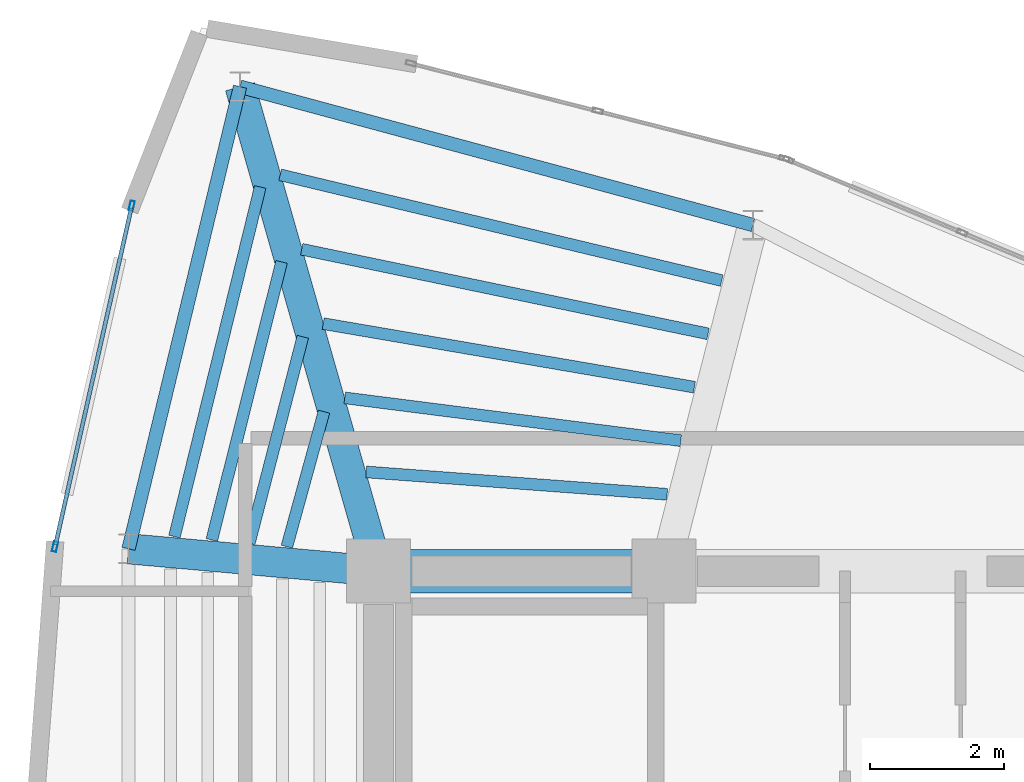
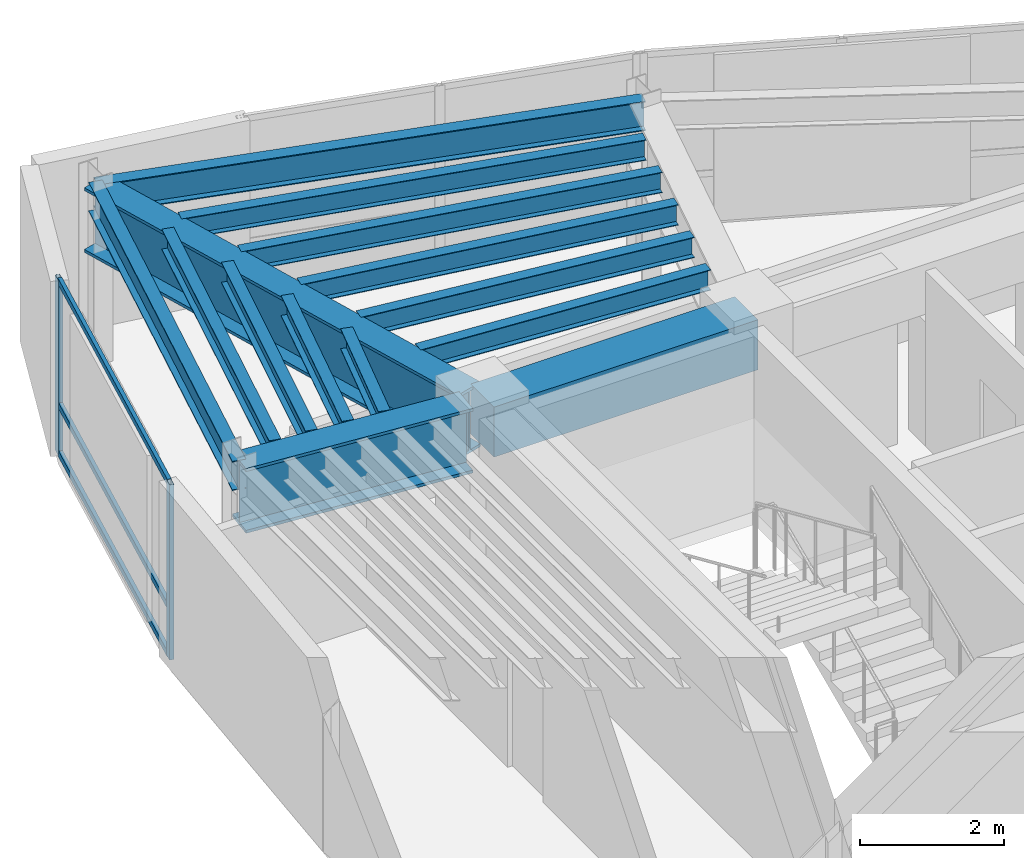
# One storey, part 7 of 14: 14 beams, 5 members, 1 element without a shape of its own.
"""IFC4 building model written with IfcOpenShell, lengths in metres."""

from ifc_helpers import new_model, si_unit, direction, frame, origin, origin_2d, place, context, subcontext, project, spatial, rectangle, hollow_rectangle, i_section, extrude, material, layer, layer_set, material_profile, profile_set, type_object, element, aggregate, save


model = new_model("IFC4")

# Units and contexts
model_context = context("Model", 3, precision=1e-05, world=origin(), true_north=direction((0.0, 1.0)))
body_context = subcontext(model_context, "Body", "Model", "MODEL_VIEW")
ifc_project = project(units=[si_unit("LENGTHUNIT", "METRE"), si_unit("AREAUNIT", "SQUARE_METRE"), si_unit("VOLUMEUNIT", "CUBIC_METRE"), si_unit("PLANEANGLEUNIT", "RADIAN"), si_unit("MASSUNIT", "GRAM", prefix="KILO")], contexts=[model_context])

# Site, building, storey
site_placement = place(None, origin())
site = spatial("IfcSite", under=ifc_project, at=site_placement, CompositionType="ELEMENT")
building_placement = place(site_placement, origin())
building = spatial("IfcBuilding", under=site, at=building_placement, Name="Menara Vayukalpa", CompositionType="ELEMENT")
storey_placement = place(building_placement, frame((0.0, 0.0, 308.820068359375)))
storey = spatial("IfcBuildingStorey", under=building, at=storey_placement, Name="L79", CompositionType="ELEMENT", Elevation=308.820068359375)

# Beams
ifc_material_1 = material(Name="Concrete C60/75", Category="concrete")
ifc_material_profile_1 = material_profile(ifc_material_1, rectangle(XDim=0.64990234375, YDim=0.85009765625, at=origin_2d()), Name="RC 650x850")
ifc_profile_set_1 = profile_set([ifc_material_profile_1], Name="Concrete C60/75")
beam_type_1 = type_object("IfcBeamType", Name="BM-CB1", PredefinedType="BEAM", material=ifc_profile_set_1)
beam_1_placement = place(storey_placement, frame((17.800048828125, 26.800048828125, 2.554931640625), z_axis=(1.0, 0.0, 0.0), x_axis=(0.0, 1.0, 0.0)))
element("IfcBeam", 1, at=beam_1_placement, inside=storey, type_object=beam_type_1, Name="L79 Core Tie Beam CBR4", PredefinedType="BEAM", context=body_context, shape_type="SweptSolid", body=[
    extrude(rectangle(XDim=0.64990234375, YDim=0.85009765625, at=origin_2d()), origin(), (0.0, 0.0, 1.0), 4.25),
])
ifc_material_2 = material(Name="Steel S460", Category="steel")
ifc_material_profile_2 = material_profile(ifc_material_2, i_section(OverallWidth=0.449951171875, OverallDepth=1.10009765625, WebThickness=0.02490234375, FlangeThickness=0.050048828125, at=origin_2d()), Name="WG 1100x450x25x50")
ifc_profile_set_2 = profile_set([ifc_material_profile_2], Name="Steel S460")
beam_type_2 = type_object("IfcBeamType", Name="BM-MTG1", PredefinedType="BEAM", material=ifc_profile_set_2)
beam_2_placement = place(storey_placement, frame((17.731201171875, 27.040283203125, 2.429931640625), z_axis=(-0.274721127897, 0.961523947641, 0.0), x_axis=(-0.961523947641, -0.274721127897, 0.0)))
element("IfcBeam", 2, at=beam_2_placement, inside=storey, type_object=beam_type_2, Name="L79 Primary Radial Girder RG04", PredefinedType="BEAM", context=body_context, shape_type="SweptSolid", body=[
    extrude(i_section(OverallWidth=0.449951171875, OverallDepth=1.10009765625, WebThickness=0.02490234375, FlangeThickness=0.050048828125, at=origin_2d()), origin(), (0.0, 0.0, 1.0), 7.246337890625),
])
beam_3_placement = place(storey_placement, frame((17.551025390625, 26.822265625, 2.429931640625), z_axis=(-0.996018615253, 0.089145488221, 0.0), x_axis=(-0.089145488221, -0.996018615253, 0.0)))
element("IfcBeam", 3, at=beam_3_placement, inside=storey, type_object=beam_type_2, Name="L79 Primary Radial Girder RG05", PredefinedType="BEAM", context=body_context, shape_type="SweptSolid", body=[
    extrude(i_section(OverallWidth=0.449951171875, OverallDepth=1.10009765625, WebThickness=0.02490234375, FlangeThickness=0.050048828125, at=origin_2d()), origin(), (0.0, 0.0, 1.0), 3.483642578125),
])
ifc_material_3 = material(Name="Steel S355", Category="steel")
ifc_material_profile_3 = material_profile(ifc_material_3, i_section(OverallWidth=0.175048828125, OverallDepth=0.35009765625, WebThickness=0.007080078125, FlangeThickness=0.010986328125, at=origin_2d()), Name="WF 350x175x7x11")
ifc_profile_set_3 = profile_set([ifc_material_profile_3], Name="Steel S355")
beam_type_3 = type_object("IfcBeamType", Name="BM-SJ3", PredefinedType="JOIST", material=ifc_profile_set_3)
beam_4_placement = place(storey_placement, frame((22.09423828125, 27.943603515625, 2.804931640625), z_axis=(-0.997249175421, 0.074122075804, 0.0), x_axis=(-0.074122075804, -0.997249175421, 0.0)))
element("IfcBeam", 4, at=beam_4_placement, inside=storey, type_object=beam_type_3, Name="L79 Secondary Floor Joist SJ03-1", PredefinedType="JOIST", context=body_context, shape_type="SweptSolid", body=[
    extrude(i_section(OverallWidth=0.175048828125, OverallDepth=0.35009765625, WebThickness=0.007080078125, FlangeThickness=0.010986328125, at=origin_2d()), origin(), (0.0, 0.0, 1.0), 4.489501953125),
])
beam_5_placement = place(storey_placement, frame((22.297119140625, 28.74169921875, 2.804931640625), z_axis=(-0.991987539287, 0.126335750682, 0.0), x_axis=(-0.126335750682, -0.991987539287, 0.0)))
element("IfcBeam", 5, at=beam_5_placement, inside=storey, type_object=beam_type_3, Name="L79 Secondary Floor Joist SJ03-2", PredefinedType="JOIST", context=body_context, shape_type="SweptSolid", body=[
    extrude(i_section(OverallWidth=0.175048828125, OverallDepth=0.35009765625, WebThickness=0.007080078125, FlangeThickness=0.010986328125, at=origin_2d()), origin(), (0.0, 0.0, 1.0), 5.039794921875),
])
beam_6_placement = place(storey_placement, frame((22.5, 29.537109375, 2.804931640625), z_axis=(-0.985657685594, 0.168757005274, 0.0), x_axis=(-0.168757005274, -0.985657685594, 0.0)))
element("IfcBeam", 6, at=beam_6_placement, inside=storey, type_object=beam_type_3, Name="L79 Secondary Floor Joist SJ03-3", PredefinedType="JOIST", context=body_context, shape_type="SweptSolid", body=[
    extrude(i_section(OverallWidth=0.175048828125, OverallDepth=0.35009765625, WebThickness=0.007080078125, FlangeThickness=0.010986328125, at=origin_2d()), origin(), (0.0, 0.0, 1.0), 5.60302734375),
])
beam_7_placement = place(storey_placement, frame((22.702880859375, 30.330810546875, 2.804931640625), z_axis=(-0.979027428924, 0.203728479637, 0.0), x_axis=(-0.203728479637, -0.979027428924, 0.0)))
element("IfcBeam", 7, at=beam_7_placement, inside=storey, type_object=beam_type_3, Name="L79 Secondary Floor Joist SJ03-4", PredefinedType="JOIST", context=body_context, shape_type="SweptSolid", body=[
    extrude(i_section(OverallWidth=0.175048828125, OverallDepth=0.35009765625, WebThickness=0.007080078125, FlangeThickness=0.010986328125, at=origin_2d()), origin(), (0.0, 0.0, 1.0), 6.175048828125),
])
beam_8_placement = place(storey_placement, frame((22.906005859375, 31.123291015625, 2.804931640625), z_axis=(-0.972497430752, 0.232913604541, 0.0), x_axis=(-0.232913604541, -0.972497430752, 0.0)))
element("IfcBeam", 8, at=beam_8_placement, inside=storey, type_object=beam_type_3, Name="L79 Secondary Floor Joist SJ03-5", PredefinedType="JOIST", context=body_context, shape_type="SweptSolid", body=[
    extrude(i_section(OverallWidth=0.175048828125, OverallDepth=0.35009765625, WebThickness=0.007080078125, FlangeThickness=0.010986328125, at=origin_2d()), origin(), (0.0, 0.0, 1.0), 6.754638671875),
])
beam_9_placement = place(storey_placement, frame((16.989501953125, 29.173095703125, 2.804931640625), z_axis=(-0.265485960503, -0.964114725941, 0.0), x_axis=(0.964114725941, -0.265485960503, 0.0)))
element("IfcBeam", 9, at=beam_9_placement, inside=storey, type_object=beam_type_3, Name="L79 Secondary Floor Joist SJ04-2", PredefinedType="JOIST", context=body_context, shape_type="SweptSolid", body=[
    extrude(i_section(OverallWidth=0.175048828125, OverallDepth=0.35009765625, WebThickness=0.007080078125, FlangeThickness=0.010986328125, at=origin_2d()), origin(), (0.0, 0.0, 1.0), 2.083740234375),
])
beam_10_placement = place(storey_placement, frame((16.67431640625, 30.286865234375, 2.804931640625), z_axis=(-0.250996862559, -0.967987900227, 0.0), x_axis=(0.967987900227, -0.250996862559, 0.0)))
element("IfcBeam", 10, at=beam_10_placement, inside=storey, type_object=beam_type_3, Name="L79 Secondary Floor Joist SJ04-3", PredefinedType="JOIST", context=body_context, shape_type="SweptSolid", body=[
    extrude(i_section(OverallWidth=0.175048828125, OverallDepth=0.35009765625, WebThickness=0.007080078125, FlangeThickness=0.010986328125, at=origin_2d()), origin(), (0.0, 0.0, 1.0), 3.173828125),
])
beam_11_placement = place(storey_placement, frame((16.35791015625, 31.401123046875, 2.804931640625), z_axis=(-0.243209126808, -0.969973876265, 0.0), x_axis=(0.969973876265, -0.243209126808, 0.0)))
element("IfcBeam", 11, at=beam_11_placement, inside=storey, type_object=beam_type_3, Name="L79 Secondary Floor Joist SJ04-4", PredefinedType="JOIST", context=body_context, shape_type="SweptSolid", body=[
    extrude(i_section(OverallWidth=0.175048828125, OverallDepth=0.35009765625, WebThickness=0.007080078125, FlangeThickness=0.010986328125, at=origin_2d()), origin(), (0.0, 0.0, 1.0), 4.26416015625),
])
beam_12_placement = place(storey_placement, frame((16.04052734375, 32.515625, 2.804931640625), z_axis=(-0.238306723875, -0.971189942985, 0.0), x_axis=(0.971189942985, -0.238306723875, 0.0)))
element("IfcBeam", 12, at=beam_12_placement, inside=storey, type_object=beam_type_3, Name="L79 Secondary Floor Joist SJ04-5", PredefinedType="JOIST", context=body_context, shape_type="SweptSolid", body=[
    extrude(i_section(OverallWidth=0.175048828125, OverallDepth=0.35009765625, WebThickness=0.007080078125, FlangeThickness=0.010986328125, at=origin_2d()), origin(), (0.0, 0.0, 1.0), 5.35498046875),
])
ifc_material_4 = material(Name="Steel S355", Category="steel")
ifc_material_profile_4 = material_profile(ifc_material_4, i_section(OverallWidth=0.199951171875, OverallDepth=0.5, WebThickness=0.010009765625, FlangeThickness=0.01611328125, at=origin_2d()), Name="WF 500x200x10x16")
ifc_profile_set_4 = profile_set([ifc_material_profile_4], Name="Steel S355")
beam_type_4 = type_object("IfcBeamType", Name="BM-SP3", PredefinedType="SPANDREL", material=ifc_profile_set_4)
beam_13_placement = place(storey_placement, frame((23.37060546875, 31.949462890625, 2.72998046875), z_axis=(-0.965485889412, 0.260455365361, 0.0), x_axis=(-0.260455365361, -0.965485889412, 0.0)))
element("IfcBeam", 13, at=beam_13_placement, inside=storey, type_object=beam_type_4, Name="L79 Perimeter Spandrel Beam SP03", PredefinedType="SPANDREL", context=body_context, shape_type="SweptSolid", body=[
    extrude(i_section(OverallWidth=0.199951171875, OverallDepth=0.5, WebThickness=0.010009765625, FlangeThickness=0.01611328125, at=origin_2d()), origin(), (0.0, 0.0, 1.0), 7.90283203125),
])
beam_14_placement = place(storey_placement, frame((15.740478515625, 34.0078125, 2.72998046875), z_axis=(-0.234600039411, -0.97209198202, 0.0), x_axis=(0.97209198202, -0.234600039411, 0.0)))
element("IfcBeam", 14, at=beam_14_placement, inside=storey, type_object=beam_type_4, Name="L79 Perimeter Spandrel Beam SP04", PredefinedType="SPANDREL", context=body_context, shape_type="SweptSolid", body=[
    extrude(i_section(OverallWidth=0.199951171875, OverallDepth=0.5, WebThickness=0.010009765625, FlangeThickness=0.01611328125, at=origin_2d()), origin(), (0.0, 0.0, 1.0), 7.072265625),
])

# Curtain wall, members
ifc_material_5 = material(Name="Anodised Terracotta Aluminium Alloy 6063-T6", Category="masonry")
ifc_layer = layer(ifc_material_5, 0.14990234375)
ifc_layer_set = layer_set([ifc_layer], Name="Anodised Terracotta Aluminium Alloy 6063-T6")
curtain_wall_type = type_object("IfcCurtainWallType", Name="CW-CW7", PredefinedType="USERDEFINED", material=ifc_layer_set)
curtain_wall_placement = place(storey_placement, origin())
curtain_wall = element("IfcCurtainWall", 15, at=curtain_wall_placement, inside=storey, type_object=curtain_wall_type, Name="L79 Crown Drum Screened Curtain Wall CW7 09", ObjectType="UNITISED", PredefinedType="USERDEFINED")
ifc_material_6 = material(Name="Anodised Terracotta Aluminium Alloy 6063-T6", Category="masonry")
ifc_material_profile_5 = material_profile(ifc_material_6, hollow_rectangle(XDim=0.06494140625, YDim=0.14990234375, WallThickness=0.00341796875, at=origin_2d()), Name="ALU 65x150x3.5")
ifc_profile_set_5 = profile_set([ifc_material_profile_5], Name="Anodised Terracotta Aluminium Alloy 6063-T6")
member_type_1 = type_object("IfcMemberType", Name="CWM-CW7", PredefinedType="MULLION", material=ifc_profile_set_5)
member_1_placement = place(storey_placement, frame((14.129150390625, 32.23388671875, 0.0), z_axis=(0.0, 0.0, 1.0), x_axis=(0.975608941973, -0.219515813421, 0.0)))
member_1 = element("IfcMember", 16, at=member_1_placement, type_object=member_type_1, Name="CW7 mullion 1", PredefinedType="MULLION", context=body_context, shape_type="SweptSolid", body=[
    extrude(hollow_rectangle(XDim=0.06494140625, YDim=0.14990234375, WallThickness=0.00341796875, at=origin_2d()), origin(), (0.0, 0.0, 1.0), 2.97998046875),
])
member_2_placement = place(storey_placement, frame((12.988525390625, 27.16455078125, 0.0), z_axis=(0.0, 0.0, 1.0), x_axis=(0.975608941973, -0.219515813421, 0.0)))
member_2 = element("IfcMember", 17, at=member_2_placement, type_object=member_type_1, Name="CW7 mullion 2", PredefinedType="MULLION", context=body_context, shape_type="SweptSolid", body=[
    extrude(hollow_rectangle(XDim=0.06494140625, YDim=0.14990234375, WallThickness=0.00341796875, at=origin_2d()), origin(), (0.0, 0.0, 1.0), 2.97998046875),
])
ifc_material_7 = material(Name="Anodised Terracotta Aluminium Alloy 6063-T6", Category="masonry")
ifc_material_profile_6 = material_profile(ifc_material_7, hollow_rectangle(XDim=0.06005859375, YDim=0.10498046875, WallThickness=0.0029296875, at=origin_2d()), Name="ALU 60x105x3")
ifc_profile_set_6 = profile_set([ifc_material_profile_6], Name="Anodised Terracotta Aluminium Alloy 6063-T6")
member_type_2 = type_object("IfcMemberType", Name="CWT-CW7", PredefinedType="USERDEFINED", material=ifc_profile_set_6)
member_3_placement = place(storey_placement, frame((14.1220703125, 32.2021484375, 0.030029296875), z_axis=(-0.219539368084, -0.975603641784, 0.0), x_axis=(0.975603641784, -0.219539368084, 0.0)))
member_3 = element("IfcMember", 18, at=member_3_placement, type_object=member_type_2, Name="CW7 transom 1.1", ObjectType="TRANSOM", PredefinedType="USERDEFINED", context=body_context, shape_type="SweptSolid", body=[
    extrude(hollow_rectangle(XDim=0.06005859375, YDim=0.10498046875, WallThickness=0.0029296875, at=origin_2d()), origin(), (0.0, 0.0, 1.0), 5.131103515625),
])
member_4_placement = place(storey_placement, frame((14.1220703125, 32.2021484375, 0.849853515625), z_axis=(-0.219539368084, -0.975603641784, 0.0), x_axis=(0.975603641784, -0.219539368084, 0.0)))
member_4 = element("IfcMember", 19, at=member_4_placement, type_object=member_type_2, Name="CW7 transom 1.2", ObjectType="TRANSOM", PredefinedType="USERDEFINED", context=body_context, shape_type="SweptSolid", body=[
    extrude(hollow_rectangle(XDim=0.06005859375, YDim=0.10498046875, WallThickness=0.0029296875, at=origin_2d()), origin(), (0.0, 0.0, 1.0), 5.131103515625),
])
member_5_placement = place(storey_placement, frame((14.1220703125, 32.2021484375, 2.949951171875), z_axis=(-0.219539368084, -0.975603641784, 0.0), x_axis=(0.975603641784, -0.219539368084, 0.0)))
member_5 = element("IfcMember", 20, at=member_5_placement, type_object=member_type_2, Name="CW7 transom 1.3", ObjectType="TRANSOM", PredefinedType="USERDEFINED", context=body_context, shape_type="SweptSolid", body=[
    extrude(hollow_rectangle(XDim=0.06005859375, YDim=0.10498046875, WallThickness=0.0029296875, at=origin_2d()), origin(), (0.0, 0.0, 1.0), 5.131103515625),
])
aggregate(curtain_wall, [member_1, member_2, member_3, member_4, member_5])

save(model, "model.ifc")
